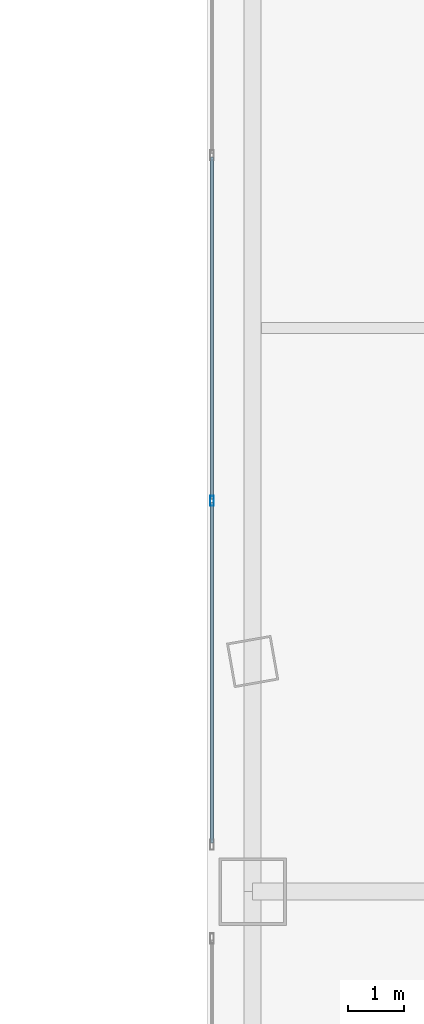
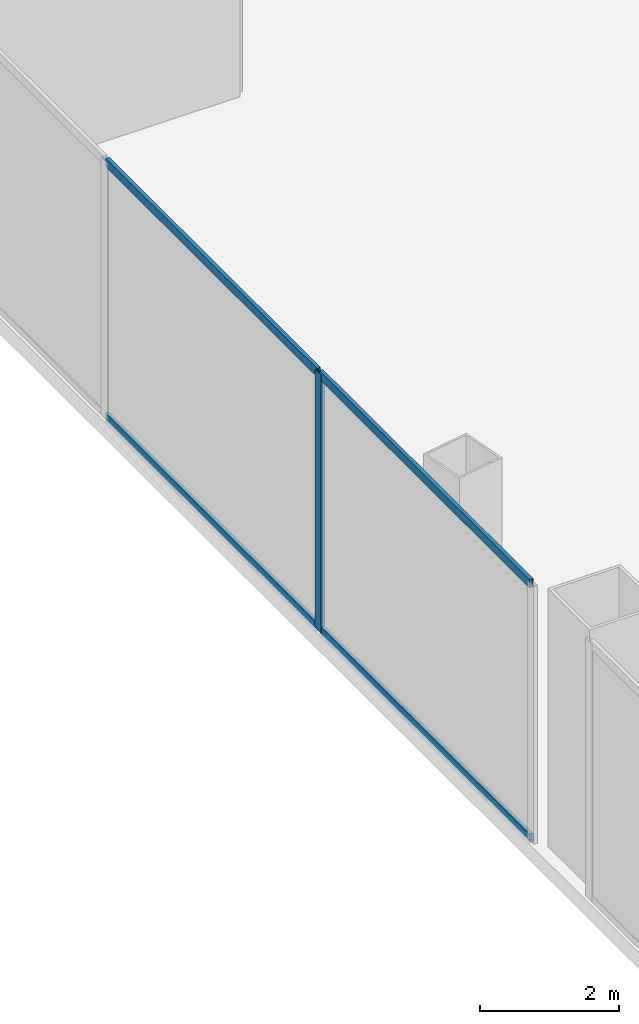
# One storey, part 8 of 58: 5 members, 1 element without a shape of its own.
"""IFC4 building model written with IfcOpenShell, lengths in metres."""

from ifc_helpers import new_model, si_unit, direction, frame, origin, origin_2d, place, context, subcontext, project, spatial, hollow_rectangle, extrude, source, transform, mapped, material, layer, layer_set, material_profile, profile_set, type_object, element, aggregate, save


model = new_model("IFC4")

# Units and contexts
model_context = context("Model", 3, precision=1e-05, world=origin(), true_north=direction((0.0, 1.0)))
body_context = subcontext(model_context, "Body", "Model", "MODEL_VIEW")
ifc_project = project(units=[si_unit("LENGTHUNIT", "METRE"), si_unit("AREAUNIT", "SQUARE_METRE"), si_unit("VOLUMEUNIT", "CUBIC_METRE"), si_unit("PLANEANGLEUNIT", "RADIAN"), si_unit("MASSUNIT", "GRAM", prefix="KILO"), si_unit("THERMODYNAMICTEMPERATUREUNIT", "KELVIN"), si_unit("POWERUNIT", "WATT")], contexts=[model_context])

# Site, building, storey
site_placement = place(None, origin())
site = spatial("IfcSite", under=ifc_project, at=site_placement, CompositionType="ELEMENT")
building_placement = place(site_placement, origin())
building = spatial("IfcBuilding", under=site, at=building_placement, Name="Yunzhuo Pagoda Commons", CompositionType="ELEMENT")
storey_placement = place(building_placement, origin())
storey = spatial("IfcBuildingStorey", under=building, at=storey_placement, Name="L01", CompositionType="ELEMENT", Elevation=0.0)

# Curtain wall, members
ifc_material = material(Name="Anodized aluminium 6063-T6", Category="aluminium")
ifc_layer = layer(ifc_material, 0.179931640625)
ifc_layer_set = layer_set([ifc_layer], Name="Anodized aluminium 6063-T6")
curtain_wall_type = type_object("IfcCurtainWallType", Name="CW-POD Waterfront Podium Curtain Wall", PredefinedType="NOTDEFINED", material=ifc_layer_set)
curtain_wall_placement = place(storey_placement, origin())
curtain_wall = element("IfcCurtainWall", 1, at=curtain_wall_placement, inside=storey, type_object=curtain_wall_type, Name="L01 curtain wall CW-L01-W2", PredefinedType="NOTDEFINED")
ifc_material_profile_1 = material_profile(ifc_material, hollow_rectangle(XDim=0.06494140625, YDim=0.179931640625, WallThickness=0.00390625, at=origin_2d()), Name="Anodized aluminium 6063-T6")
ifc_profile_set_1 = profile_set([ifc_material_profile_1], Name="Anodized aluminium 6063-T6")
member_type_1 = type_object("IfcMemberType", Name="CW-POD-M Mullion RHS 180x65x4", PredefinedType="MULLION", material=ifc_profile_set_1)
shared_shape_1 = source(origin(), body_context, "Body", "SweptSolid", [
    extrude(hollow_rectangle(XDim=0.06494140625, YDim=0.179931640625, WallThickness=0.00390625, at=origin_2d()), origin(), (0.0, 0.0, 1.0), 4.520263671875),
])
member_1_placement = place(storey_placement, frame((4.080078125, 28.933349609375, 0.0), z_axis=(0.0, 0.0, 1.0), x_axis=(-1.0, 0.0, 0.0)))
member_1 = element("IfcMember", 2, at=member_1_placement, type_object=member_type_1, Name="CW mullion 2", PredefinedType="MULLION", context=body_context, shape_type="MappedRepresentation", body=[
    mapped(shared_shape_1, transform((0.0, 0.0, 0.0), scale=1.0)),
])
ifc_material_profile_2 = material_profile(ifc_material, hollow_rectangle(XDim=0.06005859375, YDim=0.14990234375, WallThickness=0.00390625, at=origin_2d()), Name="Anodized aluminium 6063-T6")
ifc_profile_set_2 = profile_set([ifc_material_profile_2], Name="Anodized aluminium 6063-T6")
member_type_2 = type_object("IfcMemberType", Name="CW-POD-T Transom RHS 150x60x4", PredefinedType="USERDEFINED", material=ifc_profile_set_2)
shared_shape_2 = source(origin(), body_context, "Body", "SweptSolid", [
    extrude(hollow_rectangle(XDim=0.06005859375, YDim=0.14990234375, WallThickness=0.00390625, at=origin_2d()), origin(), (0.0, 0.0, 1.0), 6.035888671875),
])
member_2_placement = place(storey_placement, frame((4.080078125, 22.864990234375, 0.030029296875), z_axis=(0.0, 1.0, 0.0), x_axis=(-1.0, 0.0, 0.0)))
member_2 = element("IfcMember", 3, at=member_2_placement, type_object=member_type_2, Name="CW transom 1.1", ObjectType="TRANSOM", PredefinedType="USERDEFINED", context=body_context, shape_type="MappedRepresentation", body=[
    mapped(shared_shape_2, transform((0.0, 0.0, 0.0), scale=1.0)),
])
member_3_placement = place(storey_placement, frame((4.080078125, 22.864990234375, 4.489990234375), z_axis=(0.0, 1.0, 0.0), x_axis=(-1.0, 0.0, 0.0)))
member_3 = element("IfcMember", 4, at=member_3_placement, type_object=member_type_2, Name="CW transom 1.2", ObjectType="TRANSOM", PredefinedType="USERDEFINED", context=body_context, shape_type="MappedRepresentation", body=[
    mapped(shared_shape_2, transform((0.0, 0.0, 0.0), scale=1.0)),
])
shared_shape_3 = source(origin(), body_context, "Body", "SweptSolid", [
    extrude(hollow_rectangle(XDim=0.06005859375, YDim=0.14990234375, WallThickness=0.00390625, at=origin_2d()), origin(), (0.0, 0.0, 1.0), 6.068359375),
])
member_4_placement = place(storey_placement, frame((4.080078125, 28.9658203125, 0.030029296875), z_axis=(0.0, 1.0, 0.0), x_axis=(-1.0, 0.0, 0.0)))
member_4 = element("IfcMember", 5, at=member_4_placement, type_object=member_type_2, Name="CW transom 2.1", ObjectType="TRANSOM", PredefinedType="USERDEFINED", context=body_context, shape_type="MappedRepresentation", body=[
    mapped(shared_shape_3, transform((0.0, 0.0, 0.0), scale=1.0)),
])
member_5_placement = place(storey_placement, frame((4.080078125, 28.9658203125, 4.489990234375), z_axis=(0.0, 1.0, 0.0), x_axis=(-1.0, 0.0, 0.0)))
member_5 = element("IfcMember", 6, at=member_5_placement, type_object=member_type_2, Name="CW transom 2.2", ObjectType="TRANSOM", PredefinedType="USERDEFINED", context=body_context, shape_type="MappedRepresentation", body=[
    mapped(shared_shape_3, transform((0.0, 0.0, 0.0), scale=1.0)),
])
aggregate(curtain_wall, [member_1, member_2, member_3, member_4, member_5])

save(model, "model.ifc")
